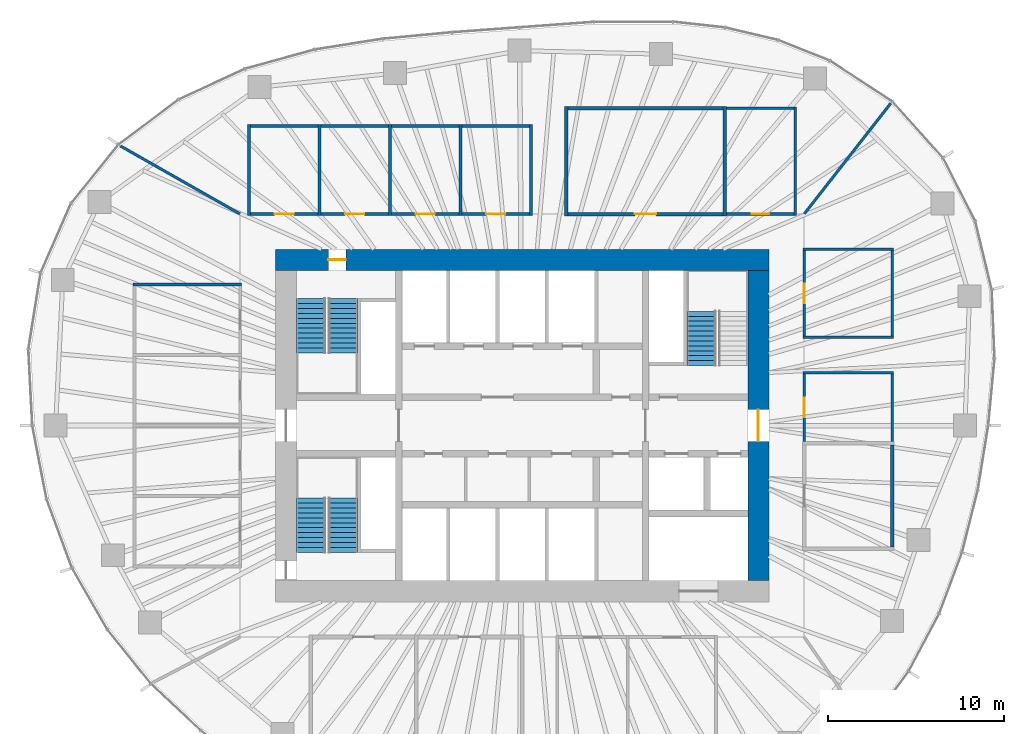
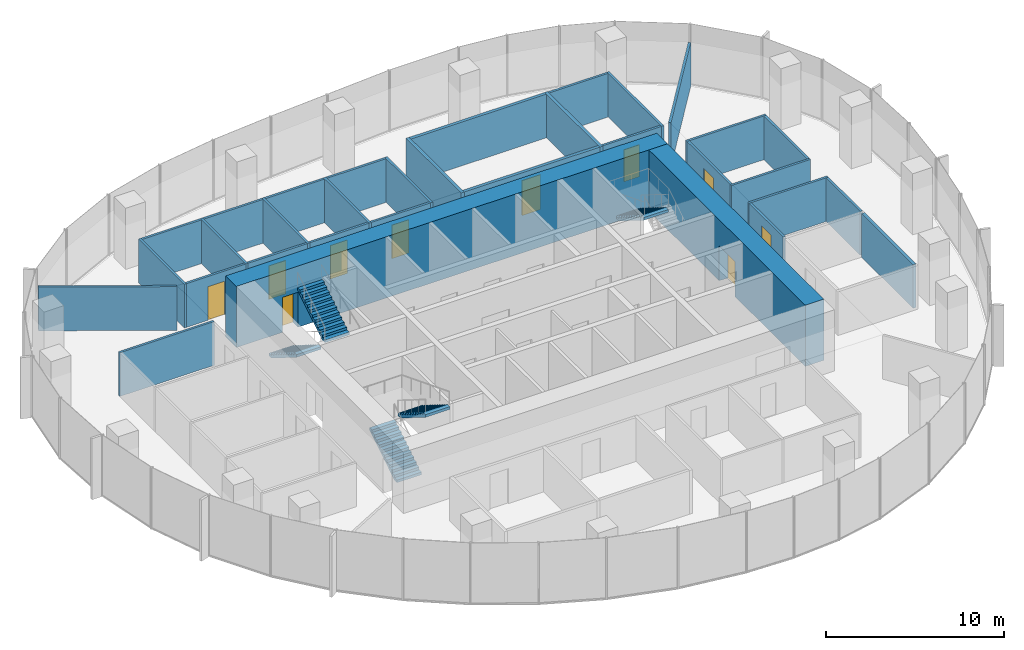
# One storey, part 10 of 12: 33 walls, 10 doors, 5 stair flights, 10 openings, 3 elements without a shape of their own.
"""IFC4 building model written with IfcOpenShell, lengths in metres."""

from ifc_helpers import new_model, si_unit, direction, frame, frame_2d, origin, place, context, subcontext, project, spatial, polyline, rectangle, outline, extrude, material, layer, layer_set, type_object, element, fill, aggregate, save


model = new_model("IFC4")

# Units and contexts
model_context = context("Model", 3, precision=1e-05, world=origin(), true_north=direction((0.0, 1.0)))
body_context = subcontext(model_context, "Body", "Model", "MODEL_VIEW")
ifc_project = project(units=[si_unit("LENGTHUNIT", "METRE"), si_unit("AREAUNIT", "SQUARE_METRE"), si_unit("VOLUMEUNIT", "CUBIC_METRE"), si_unit("PLANEANGLEUNIT", "RADIAN"), si_unit("MASSUNIT", "GRAM", prefix="KILO")], contexts=[model_context])

# Site, building, storey
site_placement = place(None, origin())
site = spatial("IfcSite", under=ifc_project, at=site_placement, CompositionType="ELEMENT")
building_placement = place(site_placement, origin())
building = spatial("IfcBuilding", under=site, at=building_placement, Name="Ghaith Harvest Tower", CompositionType="ELEMENT")
storey_placement = place(building_placement, frame((0.0, 0.0, 199.0)))
storey = spatial("IfcBuildingStorey", under=building, at=storey_placement, Name="L43", CompositionType="ELEMENT", Elevation=199.0)

# Walls
ifc_material_1 = material(Name="Twin-stud gypsum board, acoustic", Category="gypsum")
ifc_layer_1 = layer(ifc_material_1, 0.199951171875)
ifc_layer_set_1 = layer_set([ifc_layer_1], Name="ACOUSTIC PARTITION 200")
wall_type_1 = type_object("IfcWallType", Name="ACOUSTIC PARTITION 200", PredefinedType="PARTITIONING", material=ifc_layer_set_1)
for number, where, z_axis, x_axis, name in (
    (1, (2.5, 11.89990234375, 0.0), (0.0, 0.0, 1.0), (0.0, 1.0, 0.0), "Partition L43 row N2 cross wall 1"),
    (2, (11.5, 11.89990234375, 0.0), (0.0, 0.0, 1.0), (0.0, 1.0, 0.0), "Partition L43 row N2 cross wall 2"),
):
    element("IfcWall", number, at=place(storey_placement, frame(where, z_axis=z_axis, x_axis=x_axis)), inside=storey, type_object=wall_type_1, Name=name, PredefinedType="PARTITIONING", context=body_context, shape_type="SweptSolid", body=[
        extrude(rectangle(XDim=6.2001953125, YDim=0.199951171875, at=frame_2d((3.10009765625, 0.0))), origin(), (0.0, 0.0, 1.0), 3.0),
    ])

# Wall, opening, door
wall_1_placement = place(storey_placement, frame((2.60009765625, 12.0, 0.0), z_axis=(0.0, 0.0, 1.0), x_axis=(1.0, 0.0, 0.0)))
wall_1 = element("IfcWall", 3, at=wall_1_placement, inside=storey, type_object=wall_type_1, Name="Partition L43-05", PredefinedType="PARTITIONING", context=body_context, shape_type="SweptSolid", body=[
    extrude(rectangle(XDim=8.7998046875, YDim=0.199951171875, at=frame_2d((4.39990234375, 0.0))), origin(), (0.0, 0.0, 1.0), 3.0),
])
opening_1_placement = place(wall_1_placement, frame((3.800048828125, 0.0, 0.0)))
opening_1 = element("IfcOpeningElement", 4, at=opening_1_placement, cuts=wall_1, Name="Opening 43-025", PredefinedType="OPENING", context=body_context, shape_type="SweptSolid", body=[
    extrude(rectangle(XDim=1.199951171875, YDim=2.39990234375, at=frame_2d((0.60009765625, 1.199951171875))), frame((0.0, 0.10986328125, 0.0), z_axis=(0.0, -1.0, 0.0), x_axis=(1.0, 0.0, 0.0)), (0.0, 0.0, 1.0), 0.219970703125),
])
ifc_material_2 = material(Name="Timber door", Category="wood")
door_type_1 = type_object("IfcDoorType", Name="D11 GLAZED 1200x2400", OperationType="SINGLE_SWING_LEFT", PredefinedType="DOOR", material=ifc_material_2)
door_1_placement = place(opening_1_placement, origin())
door_1 = element("IfcDoor", 5, at=door_1_placement, inside=storey, type_object=door_type_1, Name="Boardroom door", OperationType="SINGLE_SWING_LEFT", OverallHeight=2.39990234375, OverallWidth=1.199951171875, PredefinedType="DOOR", context=body_context, shape_type="SweptSolid", body=[
    extrude(rectangle(XDim=1.199951171875, YDim=2.39990234375, at=frame_2d((0.60009765625, 1.199951171875))), frame((0.0, 0.02490234375, 0.0), z_axis=(0.0, -1.0, 0.0), x_axis=(1.0, 0.0, 0.0)), (0.0, 0.0, 1.0), 0.050048828125),
])
fill(opening_1, door_1)

# Walls
wall_2_placement = place(storey_placement, frame((2.60009765625, 18.0, 0.0), z_axis=(0.0, 0.0, 1.0), x_axis=(1.0, 0.0, 0.0)))
element("IfcWall", 6, at=wall_2_placement, inside=storey, type_object=wall_type_1, Name="Partition L43-05", PredefinedType="PARTITIONING", context=body_context, shape_type="SweptSolid", body=[
    extrude(rectangle(XDim=8.7998046875, YDim=0.199951171875, at=frame_2d((4.39990234375, 0.0))), origin(), (0.0, 0.0, 1.0), 3.0),
])
wall_3_placement = place(storey_placement, frame((21.0, -6.89990234375, 0.0), z_axis=(0.0, 0.0, 1.0), x_axis=(0.0, 1.0, 0.0)))
element("IfcWall", 7, at=wall_3_placement, inside=storey, type_object=wall_type_1, Name="Partition L43-11", PredefinedType="PARTITIONING", context=body_context, shape_type="SweptSolid", body=[
    extrude(rectangle(XDim=5.7998046875, YDim=0.199951171875, at=frame_2d((2.89990234375, 0.0))), origin(), (0.0, 0.0, 1.0), 3.0),
])

# Wall, opening, door
ifc_material_3 = material(Name="Concrete C60/75", Category="concrete")
ifc_layer_2 = layer(ifc_material_3, 1.199951171875)
ifc_layer_set_2 = layer_set([ifc_layer_2], Name="CORE WALL CW1200 C60")
wall_type_2 = type_object("IfcWallType", Name="CORE WALL CW1200 C60", PredefinedType="SHEAR", material=ifc_layer_set_2)
wall_4_placement = place(storey_placement, frame((14.0, 9.39990234375, 0.0), z_axis=(0.0, 0.0, 1.0), x_axis=(-1.0, 0.0, 0.0)))
wall_4 = element("IfcWall", 8, at=wall_4_placement, inside=storey, type_object=wall_type_2, Name="Core wall N L43", PredefinedType="SHEAR", context=body_context, shape_type="SweptSolid", body=[
    extrude(rectangle(XDim=28.0, YDim=1.199951171875, at=frame_2d((14.0, 0.0))), origin(), (0.0, 0.0, 1.0), 4.199951171875),
])
opening_2_placement = place(wall_4_placement, frame((24.0, 0.0, 0.0)))
opening_2 = element("IfcOpeningElement", 9, at=opening_2_placement, cuts=wall_4, Name="Opening 43-005", PredefinedType="OPENING", context=body_context, shape_type="SweptSolid", body=[
    extrude(rectangle(XDim=1.0, YDim=2.39990234375, at=frame_2d((0.5, 1.199951171875))), frame((0.0, 0.60986328125, 0.0), z_axis=(0.0, -1.0, 0.0), x_axis=(1.0, 0.0, 0.0)), (0.0, 0.0, 1.0), 1.219970703125),
])
ifc_material_4 = material(Name="Steel fire door", Category="steel")
door_type_2 = type_object("IfcDoorType", Name="D3 FD90 1000x2400", OperationType="SINGLE_SWING_LEFT", PredefinedType="DOOR", material=ifc_material_4)
door_2_placement = place(opening_2_placement, origin())
door_2 = element("IfcDoor", 10, at=door_2_placement, inside=storey, type_object=door_type_2, Name="Stair ST1 door", OperationType="SINGLE_SWING_RIGHT", OverallHeight=2.39990234375, OverallWidth=1.0, PredefinedType="DOOR", context=body_context, shape_type="SweptSolid", body=[
    extrude(rectangle(XDim=1.0, YDim=2.39990234375, at=frame_2d((0.5, 1.199951171875))), frame((0.0, 0.02490234375, 0.0), z_axis=(0.0, -1.0, 0.0), x_axis=(1.0, 0.0, 0.0)), (0.0, 0.0, 1.0), 0.050048828125),
])
fill(opening_2, door_2)

wall_5_placement = place(storey_placement, frame((13.39990234375, -8.800048828125, 0.0), z_axis=(0.0, 0.0, 1.0), x_axis=(0.0, 1.0, 0.0)))
wall_5 = element("IfcWall", 11, at=wall_5_placement, inside=storey, type_object=wall_type_2, Name="Core wall E L43", PredefinedType="SHEAR", context=body_context, shape_type="SweptSolid", body=[
    extrude(rectangle(XDim=17.60009765625, YDim=1.199951171875, at=frame_2d((8.800048828125, 0.0))), origin(), (0.0, 0.0, 1.0), 4.199951171875),
])
opening_3_placement = place(wall_5_placement, frame((7.89990234375, 0.0, 0.0)))
opening_3 = element("IfcOpeningElement", 12, at=opening_3_placement, cuts=wall_5, Name="Opening 43-002", PredefinedType="OPENING", context=body_context, shape_type="SweptSolid", body=[
    extrude(rectangle(XDim=1.800048828125, YDim=2.39990234375, at=frame_2d((0.89990234375, 1.199951171875))), frame((0.0, 0.60986328125, 0.0), z_axis=(0.0, -1.0, 0.0), x_axis=(1.0, 0.0, 0.0)), (0.0, 0.0, 1.0), 1.219970703125),
])
ifc_material_5 = material(Name="Steel fire door", Category="steel")
door_type_3 = type_object("IfcDoorType", Name="D4 FD90 PAIR 1800x2400", OperationType="DOUBLE_DOOR_SINGLE_SWING", PredefinedType="DOOR", material=ifc_material_5)
door_3_placement = place(opening_3_placement, origin())
door_3 = element("IfcDoor", 13, at=door_3_placement, inside=storey, type_object=door_type_3, Name="Fire-fighting lobby doors", OperationType="DOUBLE_DOOR_SINGLE_SWING", OverallHeight=2.39990234375, OverallWidth=1.800048828125, PredefinedType="DOOR", context=body_context, shape_type="SweptSolid", body=[
    extrude(rectangle(XDim=1.800048828125, YDim=2.39990234375, at=frame_2d((0.89990234375, 1.199951171875))), frame((0.0, 0.02490234375, 0.0), z_axis=(0.0, -1.0, 0.0), x_axis=(1.0, 0.0, 0.0)), (0.0, 0.0, 1.0), 0.050048828125),
])
fill(opening_3, door_3)

# Walls
ifc_material_6 = material(Name="Gypsum board on steel studs", Category="steel")
ifc_layer_3 = layer(ifc_material_6, 0.14990234375)
ifc_layer_set_3 = layer_set([ifc_layer_3], Name="PARTITION 150")
wall_type_3 = type_object("IfcWallType", Name="PARTITION 150", PredefinedType="PARTITIONING", material=ifc_layer_set_3)
for number, where, z_axis, x_axis, name in (
    (14, (-15.5, 11.925048828125, 0.0), (0.0, 0.0, 1.0), (0.0, 1.0, 0.0), "Partition L43 row N1 cross wall 1"),
    (15, (-11.5, 11.925048828125, 0.0), (0.0, 0.0, 1.0), (0.0, 1.0, 0.0), "Partition L43 row N1 cross wall 2"),
    (16, (-7.5, 11.925048828125, 0.0), (0.0, 0.0, 1.0), (0.0, 1.0, 0.0), "Partition L43 row N1 cross wall 3"),
    (17, (-3.5, 11.925048828125, 0.0), (0.0, 0.0, 1.0), (0.0, 1.0, 0.0), "Partition L43 row N1 cross wall 4"),
    (18, (0.5, 11.925048828125, 0.0), (0.0, 0.0, 1.0), (0.0, 1.0, 0.0), "Partition L43 row N1 cross wall 5"),
):
    element("IfcWall", number, at=place(storey_placement, frame(where, z_axis=z_axis, x_axis=x_axis)), inside=storey, type_object=wall_type_3, Name=name, PredefinedType="PARTITIONING", context=body_context, shape_type="SweptSolid", body=[
        extrude(rectangle(XDim=5.14990234375, YDim=0.14990234375, at=frame_2d((2.574951171875, 0.0))), origin(), (0.0, 0.0, 1.0), 3.0),
    ])

# Wall, opening, door
wall_6_placement = place(storey_placement, frame((-15.425048828125, 12.0, 0.0), z_axis=(0.0, 0.0, 1.0), x_axis=(1.0, 0.0, 0.0)))
wall_6 = element("IfcWall", 19, at=wall_6_placement, inside=storey, type_object=wall_type_3, Name="Partition L43-01", PredefinedType="PARTITIONING", context=body_context, shape_type="SweptSolid", body=[
    extrude(rectangle(XDim=3.85009765625, YDim=0.14990234375, at=frame_2d((1.925048828125, 0.0))), origin(), (0.0, 0.0, 1.0), 3.0),
])
opening_4_placement = place(wall_6_placement, frame((1.375, 0.0, 0.0)))
opening_4 = element("IfcOpeningElement", 20, at=opening_4_placement, cuts=wall_6, Name="Opening 43-021", PredefinedType="OPENING", context=body_context, shape_type="SweptSolid", body=[
    extrude(rectangle(XDim=1.10009765625, YDim=2.300048828125, at=frame_2d((0.550048828125, 1.14990234375))), frame((0.0, 0.0849609375, 0.0), z_axis=(0.0, -1.0, 0.0), x_axis=(1.0, 0.0, 0.0)), (0.0, 0.0, 1.0), 0.169921875),
])
ifc_material_7 = material(Name="Timber-framed glazed door", Category="wood")
door_type_4 = type_object("IfcDoorType", Name="D12 GLAZED OFFICE 1100x2300", OperationType="SINGLE_SWING_LEFT", PredefinedType="DOOR", material=ifc_material_7)
door_4_placement = place(opening_4_placement, origin())
door_4 = element("IfcDoor", 21, at=door_4_placement, inside=storey, type_object=door_type_4, Name="Office door", OperationType="SINGLE_SWING_LEFT", OverallHeight=2.300048828125, OverallWidth=1.10009765625, PredefinedType="DOOR", context=body_context, shape_type="SweptSolid", body=[
    extrude(rectangle(XDim=1.10009765625, YDim=2.300048828125, at=frame_2d((0.550048828125, 1.14990234375))), frame((0.0, 0.02490234375, 0.0), z_axis=(0.0, -1.0, 0.0), x_axis=(1.0, 0.0, 0.0)), (0.0, 0.0, 1.0), 0.050048828125),
])
fill(opening_4, door_4)

# Wall
wall_7_placement = place(storey_placement, frame((-15.425048828125, 17.0, 0.0), z_axis=(0.0, 0.0, 1.0), x_axis=(1.0, 0.0, 0.0)))
element("IfcWall", 22, at=wall_7_placement, inside=storey, type_object=wall_type_3, Name="Partition L43-01", PredefinedType="PARTITIONING", context=body_context, shape_type="SweptSolid", body=[
    extrude(rectangle(XDim=3.85009765625, YDim=0.14990234375, at=frame_2d((1.925048828125, 0.0))), origin(), (0.0, 0.0, 1.0), 3.0),
])

# Wall, opening, door
wall_8_placement = place(storey_placement, frame((-11.425048828125, 12.0, 0.0), z_axis=(0.0, 0.0, 1.0), x_axis=(1.0, 0.0, 0.0)))
wall_8 = element("IfcWall", 23, at=wall_8_placement, inside=storey, type_object=wall_type_3, Name="Partition L43-02", PredefinedType="PARTITIONING", context=body_context, shape_type="SweptSolid", body=[
    extrude(rectangle(XDim=3.85009765625, YDim=0.14990234375, at=frame_2d((1.925048828125, 0.0))), origin(), (0.0, 0.0, 1.0), 3.0),
])
opening_5_placement = place(wall_8_placement, frame((1.375, 0.0, 0.0)))
opening_5 = element("IfcOpeningElement", 24, at=opening_5_placement, cuts=wall_8, Name="Opening 43-022", PredefinedType="OPENING", context=body_context, shape_type="SweptSolid", body=[
    extrude(rectangle(XDim=1.10009765625, YDim=2.300048828125, at=frame_2d((0.550048828125, 1.14990234375))), frame((0.0, 0.0849609375, 0.0), z_axis=(0.0, -1.0, 0.0), x_axis=(1.0, 0.0, 0.0)), (0.0, 0.0, 1.0), 0.169921875),
])
door_5_placement = place(opening_5_placement, origin())
door_5 = element("IfcDoor", 25, at=door_5_placement, inside=storey, type_object=door_type_4, Name="Office door", OperationType="SINGLE_SWING_LEFT", OverallHeight=2.300048828125, OverallWidth=1.10009765625, PredefinedType="DOOR", context=body_context, shape_type="SweptSolid", body=[
    extrude(rectangle(XDim=1.10009765625, YDim=2.300048828125, at=frame_2d((0.550048828125, 1.14990234375))), frame((0.0, 0.02490234375, 0.0), z_axis=(0.0, -1.0, 0.0), x_axis=(1.0, 0.0, 0.0)), (0.0, 0.0, 1.0), 0.050048828125),
])
fill(opening_5, door_5)

# Wall
wall_9_placement = place(storey_placement, frame((-11.425048828125, 17.0, 0.0), z_axis=(0.0, 0.0, 1.0), x_axis=(1.0, 0.0, 0.0)))
element("IfcWall", 26, at=wall_9_placement, inside=storey, type_object=wall_type_3, Name="Partition L43-02", PredefinedType="PARTITIONING", context=body_context, shape_type="SweptSolid", body=[
    extrude(rectangle(XDim=3.85009765625, YDim=0.14990234375, at=frame_2d((1.925048828125, 0.0))), origin(), (0.0, 0.0, 1.0), 3.0),
])

# Wall, opening, door
wall_10_placement = place(storey_placement, frame((-7.425048828125, 12.0, 0.0), z_axis=(0.0, 0.0, 1.0), x_axis=(1.0, 0.0, 0.0)))
wall_10 = element("IfcWall", 27, at=wall_10_placement, inside=storey, type_object=wall_type_3, Name="Partition L43-03", PredefinedType="PARTITIONING", context=body_context, shape_type="SweptSolid", body=[
    extrude(rectangle(XDim=3.85009765625, YDim=0.14990234375, at=frame_2d((1.925048828125, 0.0))), origin(), (0.0, 0.0, 1.0), 3.0),
])
opening_6_placement = place(wall_10_placement, frame((1.375, 0.0, 0.0)))
opening_6 = element("IfcOpeningElement", 28, at=opening_6_placement, cuts=wall_10, Name="Opening 43-023", PredefinedType="OPENING", context=body_context, shape_type="SweptSolid", body=[
    extrude(rectangle(XDim=1.10009765625, YDim=2.300048828125, at=frame_2d((0.550048828125, 1.14990234375))), frame((0.0, 0.0849609375, 0.0), z_axis=(0.0, -1.0, 0.0), x_axis=(1.0, 0.0, 0.0)), (0.0, 0.0, 1.0), 0.169921875),
])
door_6_placement = place(opening_6_placement, origin())
door_6 = element("IfcDoor", 29, at=door_6_placement, inside=storey, type_object=door_type_4, Name="Office door", OperationType="SINGLE_SWING_LEFT", OverallHeight=2.300048828125, OverallWidth=1.10009765625, PredefinedType="DOOR", context=body_context, shape_type="SweptSolid", body=[
    extrude(rectangle(XDim=1.10009765625, YDim=2.300048828125, at=frame_2d((0.550048828125, 1.14990234375))), frame((0.0, 0.02490234375, 0.0), z_axis=(0.0, -1.0, 0.0), x_axis=(1.0, 0.0, 0.0)), (0.0, 0.0, 1.0), 0.050048828125),
])
fill(opening_6, door_6)

# Wall
wall_11_placement = place(storey_placement, frame((-7.425048828125, 17.0, 0.0), z_axis=(0.0, 0.0, 1.0), x_axis=(1.0, 0.0, 0.0)))
element("IfcWall", 30, at=wall_11_placement, inside=storey, type_object=wall_type_3, Name="Partition L43-03", PredefinedType="PARTITIONING", context=body_context, shape_type="SweptSolid", body=[
    extrude(rectangle(XDim=3.85009765625, YDim=0.14990234375, at=frame_2d((1.925048828125, 0.0))), origin(), (0.0, 0.0, 1.0), 3.0),
])

# Wall, opening, door
wall_12_placement = place(storey_placement, frame((-3.425048828125, 12.0, 0.0), z_axis=(0.0, 0.0, 1.0), x_axis=(1.0, 0.0, 0.0)))
wall_12 = element("IfcWall", 31, at=wall_12_placement, inside=storey, type_object=wall_type_3, Name="Partition L43-04", PredefinedType="PARTITIONING", context=body_context, shape_type="SweptSolid", body=[
    extrude(rectangle(XDim=3.85009765625, YDim=0.14990234375, at=frame_2d((1.925048828125, 0.0))), origin(), (0.0, 0.0, 1.0), 3.0),
])
opening_7_placement = place(wall_12_placement, frame((1.375, 0.0, 0.0)))
opening_7 = element("IfcOpeningElement", 32, at=opening_7_placement, cuts=wall_12, Name="Opening 43-024", PredefinedType="OPENING", context=body_context, shape_type="SweptSolid", body=[
    extrude(rectangle(XDim=1.10009765625, YDim=2.300048828125, at=frame_2d((0.550048828125, 1.14990234375))), frame((0.0, 0.0849609375, 0.0), z_axis=(0.0, -1.0, 0.0), x_axis=(1.0, 0.0, 0.0)), (0.0, 0.0, 1.0), 0.169921875),
])
door_7_placement = place(opening_7_placement, origin())
door_7 = element("IfcDoor", 33, at=door_7_placement, inside=storey, type_object=door_type_4, Name="Office door", OperationType="SINGLE_SWING_LEFT", OverallHeight=2.300048828125, OverallWidth=1.10009765625, PredefinedType="DOOR", context=body_context, shape_type="SweptSolid", body=[
    extrude(rectangle(XDim=1.10009765625, YDim=2.300048828125, at=frame_2d((0.550048828125, 1.14990234375))), frame((0.0, 0.02490234375, 0.0), z_axis=(0.0, -1.0, 0.0), x_axis=(1.0, 0.0, 0.0)), (0.0, 0.0, 1.0), 0.050048828125),
])
fill(opening_7, door_7)

# Walls
wall_13_placement = place(storey_placement, frame((-3.425048828125, 17.0, 0.0), z_axis=(0.0, 0.0, 1.0), x_axis=(1.0, 0.0, 0.0)))
element("IfcWall", 34, at=wall_13_placement, inside=storey, type_object=wall_type_3, Name="Partition L43-04", PredefinedType="PARTITIONING", context=body_context, shape_type="SweptSolid", body=[
    extrude(rectangle(XDim=3.85009765625, YDim=0.14990234375, at=frame_2d((1.925048828125, 0.0))), origin(), (0.0, 0.0, 1.0), 3.0),
])
wall_14_placement = place(storey_placement, frame((15.5, 11.925048828125, 0.0), z_axis=(0.0, 0.0, 1.0), x_axis=(0.0, 1.0, 0.0)))
element("IfcWall", 35, at=wall_14_placement, inside=storey, type_object=wall_type_3, Name="Partition L43 row N2 cross wall 3", PredefinedType="PARTITIONING", context=body_context, shape_type="SweptSolid", body=[
    extrude(rectangle(XDim=6.14990234375, YDim=0.14990234375, at=frame_2d((3.074951171875, 0.0))), origin(), (0.0, 0.0, 1.0), 3.0),
])

# Wall, opening, door
wall_15_placement = place(storey_placement, frame((11.60009765625, 12.0, 0.0), z_axis=(0.0, 0.0, 1.0), x_axis=(1.0, 0.0, 0.0)))
wall_15 = element("IfcWall", 36, at=wall_15_placement, inside=storey, type_object=wall_type_3, Name="Partition L43-06", PredefinedType="PARTITIONING", context=body_context, shape_type="SweptSolid", body=[
    extrude(rectangle(XDim=3.824951171875, YDim=0.14990234375, at=frame_2d((1.91259765625, 0.0))), origin(), (0.0, 0.0, 1.0), 3.0),
])
opening_8_placement = place(wall_15_placement, frame((1.41259765625, 0.0, 0.0)))
opening_8 = element("IfcOpeningElement", 37, at=opening_8_placement, cuts=wall_15, Name="Opening 43-026", PredefinedType="OPENING", context=body_context, shape_type="SweptSolid", body=[
    extrude(rectangle(XDim=1.0, YDim=2.199951171875, at=frame_2d((0.5, 1.10009765625))), frame((0.0, 0.0849609375, 0.0), z_axis=(0.0, -1.0, 0.0), x_axis=(1.0, 0.0, 0.0)), (0.0, 0.0, 1.0), 0.169921875),
])
ifc_material_8 = material(Name="Timber door", Category="wood")
door_type_5 = type_object("IfcDoorType", Name="D1 SINGLE 1000x2200", OperationType="SINGLE_SWING_LEFT", PredefinedType="DOOR", material=ifc_material_8)
door_8_placement = place(opening_8_placement, origin())
door_8 = element("IfcDoor", 38, at=door_8_placement, inside=storey, type_object=door_type_5, Name="Pantry door", OperationType="SINGLE_SWING_LEFT", OverallHeight=2.199951171875, OverallWidth=1.0, PredefinedType="DOOR", context=body_context, shape_type="SweptSolid", body=[
    extrude(rectangle(XDim=1.0, YDim=2.199951171875, at=frame_2d((0.5, 1.10009765625))), frame((0.0, 0.02490234375, 0.0), z_axis=(0.0, -1.0, 0.0), x_axis=(1.0, 0.0, 0.0)), (0.0, 0.0, 1.0), 0.050048828125),
])
fill(opening_8, door_8)

# Walls
wall_16_placement = place(storey_placement, frame((11.60009765625, 18.0, 0.0), z_axis=(0.0, 0.0, 1.0), x_axis=(1.0, 0.0, 0.0)))
element("IfcWall", 39, at=wall_16_placement, inside=storey, type_object=wall_type_3, Name="Partition L43-06", PredefinedType="PARTITIONING", context=body_context, shape_type="SweptSolid", body=[
    extrude(rectangle(XDim=3.824951171875, YDim=0.14990234375, at=frame_2d((1.91259765625, 0.0))), origin(), (0.0, 0.0, 1.0), 3.0),
])
wall_17_placement = place(storey_placement, frame((15.925048828125, 3.0, 0.0), z_axis=(0.0, 0.0, 1.0), x_axis=(1.0, 0.0, 0.0)))
element("IfcWall", 40, at=wall_17_placement, inside=storey, type_object=wall_type_3, Name="Partition L43 row E5 cross wall 3", PredefinedType="PARTITIONING", context=body_context, shape_type="SweptSolid", body=[
    extrude(rectangle(XDim=5.14990234375, YDim=0.14990234375, at=frame_2d((2.574951171875, 0.0))), origin(), (0.0, 0.0, 1.0), 3.0),
])

# Wall, opening, door
wall_18_placement = place(storey_placement, frame((16.0, -0.89990234375, 0.0), z_axis=(0.0, 0.0, 1.0), x_axis=(0.0, 1.0, 0.0)))
wall_18 = element("IfcWall", 41, at=wall_18_placement, inside=storey, type_object=wall_type_3, Name="Partition L43-12", PredefinedType="PARTITIONING", context=body_context, shape_type="SweptSolid", body=[
    extrude(rectangle(XDim=3.824951171875, YDim=0.14990234375, at=frame_2d((1.91259765625, 0.0))), origin(), (0.0, 0.0, 1.0), 3.0),
])
opening_9_placement = place(wall_18_placement, frame((1.362548828125, 0.0, 0.0)))
opening_9 = element("IfcOpeningElement", 42, at=opening_9_placement, cuts=wall_18, Name="Opening 43-032", PredefinedType="OPENING", context=body_context, shape_type="SweptSolid", body=[
    extrude(rectangle(XDim=1.10009765625, YDim=2.300048828125, at=frame_2d((0.550048828125, 1.14990234375))), frame((0.0, 0.0849609375, 0.0), z_axis=(0.0, -1.0, 0.0), x_axis=(1.0, 0.0, 0.0)), (0.0, 0.0, 1.0), 0.169921875),
])
door_9_placement = place(opening_9_placement, origin())
door_9 = element("IfcDoor", 43, at=door_9_placement, inside=storey, type_object=door_type_4, Name="Office door", OperationType="SINGLE_SWING_LEFT", OverallHeight=2.300048828125, OverallWidth=1.10009765625, PredefinedType="DOOR", context=body_context, shape_type="SweptSolid", body=[
    extrude(rectangle(XDim=1.10009765625, YDim=2.300048828125, at=frame_2d((0.550048828125, 1.14990234375))), frame((0.0, 0.02490234375, 0.0), z_axis=(0.0, -1.0, 0.0), x_axis=(1.0, 0.0, 0.0)), (0.0, 0.0, 1.0), 0.050048828125),
])
fill(opening_9, door_9)

# Walls
wall_19_placement = place(storey_placement, frame((21.0, -0.89990234375, 0.0), z_axis=(0.0, 0.0, 1.0), x_axis=(0.0, 1.0, 0.0)))
element("IfcWall", 44, at=wall_19_placement, inside=storey, type_object=wall_type_3, Name="Partition L43-12", PredefinedType="PARTITIONING", context=body_context, shape_type="SweptSolid", body=[
    extrude(rectangle(XDim=3.824951171875, YDim=0.14990234375, at=frame_2d((1.91259765625, 0.0))), origin(), (0.0, 0.0, 1.0), 3.0),
])
wall_20_placement = place(storey_placement, frame((-15.925048828125, 8.0, 0.0), z_axis=(0.0, 0.0, 1.0), x_axis=(-1.0, 0.0, 0.0)))
element("IfcWall", 45, at=wall_20_placement, inside=storey, type_object=wall_type_3, Name="Partition L43 row W6 cross wall 5", PredefinedType="PARTITIONING", context=body_context, shape_type="SweptSolid", body=[
    extrude(rectangle(XDim=6.14990234375, YDim=0.14990234375, at=frame_2d((3.074951171875, 0.0))), origin(), (0.0, 0.0, 1.0), 3.0),
])
for number, where, z_axis, x_axis, name in (
    (46, (15.925048828125, 5.0, 0.0), (0.0, 0.0, 1.0), (1.0, 0.0, 0.0), "Partition L43 row E7 cross wall 1"),
    (47, (15.925048828125, 10.0, 0.0), (0.0, 0.0, 1.0), (1.0, 0.0, 0.0), "Partition L43 row E7 cross wall 2"),
):
    element("IfcWall", number, at=place(storey_placement, frame(where, z_axis=z_axis, x_axis=x_axis)), inside=storey, type_object=wall_type_3, Name=name, PredefinedType="PARTITIONING", context=body_context, shape_type="SweptSolid", body=[
        extrude(rectangle(XDim=5.14990234375, YDim=0.14990234375, at=frame_2d((2.574951171875, 0.0))), origin(), (0.0, 0.0, 1.0), 3.0),
    ])

# Wall, opening, door
wall_21_placement = place(storey_placement, frame((16.0, 5.074951171875, 0.0), z_axis=(0.0, 0.0, 1.0), x_axis=(0.0, 1.0, 0.0)))
wall_21 = element("IfcWall", 48, at=wall_21_placement, inside=storey, type_object=wall_type_3, Name="Partition L43-17", PredefinedType="PARTITIONING", context=body_context, shape_type="SweptSolid", body=[
    extrude(rectangle(XDim=4.85009765625, YDim=0.14990234375, at=frame_2d((2.425048828125, 0.0))), origin(), (0.0, 0.0, 1.0), 3.0),
])
opening_10_placement = place(wall_21_placement, frame((1.875, 0.0, 0.0)))
opening_10 = element("IfcOpeningElement", 49, at=opening_10_placement, cuts=wall_21, Name="Opening 43-037", PredefinedType="OPENING", context=body_context, shape_type="SweptSolid", body=[
    extrude(rectangle(XDim=1.10009765625, YDim=2.300048828125, at=frame_2d((0.550048828125, 1.14990234375))), frame((0.0, 0.0849609375, 0.0), z_axis=(0.0, -1.0, 0.0), x_axis=(1.0, 0.0, 0.0)), (0.0, 0.0, 1.0), 0.169921875),
])
door_10_placement = place(opening_10_placement, origin())
door_10 = element("IfcDoor", 50, at=door_10_placement, inside=storey, type_object=door_type_4, Name="Office door", OperationType="SINGLE_SWING_LEFT", OverallHeight=2.300048828125, OverallWidth=1.10009765625, PredefinedType="DOOR", context=body_context, shape_type="SweptSolid", body=[
    extrude(rectangle(XDim=1.10009765625, YDim=2.300048828125, at=frame_2d((0.550048828125, 1.14990234375))), frame((0.0, 0.02490234375, 0.0), z_axis=(0.0, -1.0, 0.0), x_axis=(1.0, 0.0, 0.0)), (0.0, 0.0, 1.0), 0.050048828125),
])
fill(opening_10, door_10)

# Walls
wall_22_placement = place(storey_placement, frame((21.0, 5.074951171875, 0.0), z_axis=(0.0, 0.0, 1.0), x_axis=(0.0, 1.0, 0.0)))
element("IfcWall", 51, at=wall_22_placement, inside=storey, type_object=wall_type_3, Name="Partition L43-17", PredefinedType="PARTITIONING", context=body_context, shape_type="SweptSolid", body=[
    extrude(rectangle(XDim=4.85009765625, YDim=0.14990234375, at=frame_2d((2.425048828125, 0.0))), origin(), (0.0, 0.0, 1.0), 3.0),
])
wall_23_placement = place(storey_placement, frame((-16.017333984375, 12.010009765625, 0.0), z_axis=(0.0, 0.0, 1.0), x_axis=(-0.869357432803, 0.494183826151, 0.0)))
element("IfcWall", 52, at=wall_23_placement, inside=storey, type_object=wall_type_3, Name="Partition L43 zone division", PredefinedType="PARTITIONING", context=body_context, shape_type="SweptSolid", body=[
    extrude(rectangle(XDim=7.791259765625, YDim=0.14990234375, at=frame_2d((3.8955078125, 0.0))), origin(), (0.0, 0.0, 1.0), 3.0),
])
wall_24_placement = place(storey_placement, frame((16.01220703125, 12.015625, 0.0), z_axis=(0.0, 0.0, 1.0), x_axis=(0.616030058222, 0.787722646219, 0.0)))
element("IfcWall", 53, at=wall_24_placement, inside=storey, type_object=wall_type_3, Name="Partition L43 zone division", PredefinedType="PARTITIONING", context=body_context, shape_type="SweptSolid", body=[
    extrude(rectangle(XDim=7.95166015625, YDim=0.14990234375, at=frame_2d((3.975830078125, 0.0))), origin(), (0.0, 0.0, 1.0), 3.0),
])

# Stair, stair flights
ifc_material_9 = material(Name="Concrete C40/50, precast", Category="concrete")
stair_type = type_object("IfcStairType", Name="CORE STAIR 24R", PredefinedType="HALF_TURN_STAIR", material=ifc_material_9)
stair_1_placement = place(storey_placement, origin())
stair_1 = element("IfcStair", 54, at=stair_1_placement, inside=storey, type_object=stair_type, Name="Stair ST1 L43", PredefinedType="HALF_TURN_STAIR")
ifc_material_10 = material(Name="Concrete C40/50, precast", Category="concrete")
stair_flight_type = type_object("IfcStairFlightType", Name="CORE FLIGHT 12R 1600", PredefinedType="STRAIGHT", material=ifc_material_10)
stair_flight_1_placement = place(storey_placement, frame((-12.0, 7.199951171875, 0.0), z_axis=(0.0, 0.0, 1.0), x_axis=(0.0, -1.0, 0.0)))
stair_flight_1 = element("IfcStairFlight", 55, at=stair_flight_1_placement, type_object=stair_flight_type, Name="ST1 flight 1", NumberOfRisers=12, NumberOfTreads=11, PredefinedType="STRAIGHT", RiserHeight=0.175, TreadLength=0.28, context=body_context, shape_type="SweptSolid", body=[
    extrude(outline(polyline([(0.0, 0.0), (0.0, 0.175048828125), (0.280029296875, 0.175048828125), (0.280029296875, 0.35009765625), (0.56005859375, 0.35009765625), (0.56005859375, 0.52490234375), (0.840087890625, 0.52490234375), (0.840087890625, 0.699951171875), (1.1201171875, 0.699951171875), (1.1201171875, 0.875), (1.39990234375, 0.875), (1.39990234375, 1.050048828125), (1.679931640625, 1.050048828125), (1.679931640625, 1.22509765625), (1.9599609375, 1.22509765625), (1.9599609375, 1.39990234375), (2.239990234375, 1.39990234375), (2.239990234375, 1.574951171875), (2.52001953125, 1.574951171875), (2.52001953125, 1.75), (2.800048828125, 1.75), (2.800048828125, 1.925048828125), (3.080078125, 1.925048828125), (3.080078125, 2.10009765625), (3.080078125, 1.748291015625), (0.28271484375, 0.0), (0.0, 0.0)])), frame((0.0, 0.800048828125, 0.0), z_axis=(0.0, -1.0, 0.0), x_axis=(1.0, 0.0, 0.0)), (0.0, 0.0, 1.0), 1.60009765625),
])
stair_flight_2_placement = place(storey_placement, frame((-10.14990234375, 4.1201171875, 2.10009765625), z_axis=(0.0, 0.0, 1.0), x_axis=(0.0, 1.0, 0.0)))
stair_flight_2 = element("IfcStairFlight", 56, at=stair_flight_2_placement, type_object=stair_flight_type, Name="ST1 flight 2", NumberOfRisers=12, NumberOfTreads=11, PredefinedType="STRAIGHT", RiserHeight=0.175, TreadLength=0.28, context=body_context, shape_type="SweptSolid", body=[
    extrude(outline(polyline([(0.0, 0.0), (0.0, 0.175048828125), (0.280029296875, 0.175048828125), (0.280029296875, 0.35009765625), (0.56005859375, 0.35009765625), (0.56005859375, 0.52490234375), (0.840087890625, 0.52490234375), (0.840087890625, 0.699951171875), (1.1201171875, 0.699951171875), (1.1201171875, 0.875), (1.39990234375, 0.875), (1.39990234375, 1.050048828125), (1.679931640625, 1.050048828125), (1.679931640625, 1.22509765625), (1.9599609375, 1.22509765625), (1.9599609375, 1.39990234375), (2.239990234375, 1.39990234375), (2.239990234375, 1.574951171875), (2.52001953125, 1.574951171875), (2.52001953125, 1.75), (2.800048828125, 1.75), (2.800048828125, 1.925048828125), (3.080078125, 1.925048828125), (3.080078125, 2.10009765625), (3.080078125, 1.748291015625), (0.28271484375, 0.0), (0.0, 0.0)])), frame((0.0, 0.800048828125, 0.0), z_axis=(0.0, -1.0, 0.0), x_axis=(1.0, 0.0, 0.0)), (0.0, 0.0, 1.0), 1.60009765625),
])
aggregate(stair_1, [stair_flight_1, stair_flight_2])

stair_2_placement = place(storey_placement, origin())
stair_2 = element("IfcStair", 57, at=stair_2_placement, inside=storey, type_object=stair_type, Name="Stair ST3 L43", PredefinedType="HALF_TURN_STAIR")
stair_flight_3_placement = place(storey_placement, frame((-12.0, -7.199951171875, 0.0), z_axis=(0.0, 0.0, 1.0), x_axis=(0.0, 1.0, 0.0)))
stair_flight_3 = element("IfcStairFlight", 58, at=stair_flight_3_placement, type_object=stair_flight_type, Name="ST3 flight 1", NumberOfRisers=12, NumberOfTreads=11, PredefinedType="STRAIGHT", RiserHeight=0.175, TreadLength=0.28, context=body_context, shape_type="SweptSolid", body=[
    extrude(outline(polyline([(0.0, 0.0), (0.0, 0.175048828125), (0.280029296875, 0.175048828125), (0.280029296875, 0.35009765625), (0.56005859375, 0.35009765625), (0.56005859375, 0.52490234375), (0.840087890625, 0.52490234375), (0.840087890625, 0.699951171875), (1.1201171875, 0.699951171875), (1.1201171875, 0.875), (1.39990234375, 0.875), (1.39990234375, 1.050048828125), (1.679931640625, 1.050048828125), (1.679931640625, 1.22509765625), (1.9599609375, 1.22509765625), (1.9599609375, 1.39990234375), (2.239990234375, 1.39990234375), (2.239990234375, 1.574951171875), (2.52001953125, 1.574951171875), (2.52001953125, 1.75), (2.800048828125, 1.75), (2.800048828125, 1.925048828125), (3.080078125, 1.925048828125), (3.080078125, 2.10009765625), (3.080078125, 1.748291015625), (0.28271484375, 0.0), (0.0, 0.0)])), frame((0.0, 0.800048828125, 0.0), z_axis=(0.0, -1.0, 0.0), x_axis=(1.0, 0.0, 0.0)), (0.0, 0.0, 1.0), 1.60009765625),
])
stair_flight_4_placement = place(storey_placement, frame((-10.14990234375, -4.1201171875, 2.10009765625), z_axis=(0.0, 0.0, 1.0), x_axis=(0.0, -1.0, 0.0)))
stair_flight_4 = element("IfcStairFlight", 59, at=stair_flight_4_placement, type_object=stair_flight_type, Name="ST3 flight 2", NumberOfRisers=12, NumberOfTreads=11, PredefinedType="STRAIGHT", RiserHeight=0.175, TreadLength=0.28, context=body_context, shape_type="SweptSolid", body=[
    extrude(outline(polyline([(0.0, 0.0), (0.0, 0.175048828125), (0.280029296875, 0.175048828125), (0.280029296875, 0.35009765625), (0.56005859375, 0.35009765625), (0.56005859375, 0.52490234375), (0.840087890625, 0.52490234375), (0.840087890625, 0.699951171875), (1.1201171875, 0.699951171875), (1.1201171875, 0.875), (1.39990234375, 0.875), (1.39990234375, 1.050048828125), (1.679931640625, 1.050048828125), (1.679931640625, 1.22509765625), (1.9599609375, 1.22509765625), (1.9599609375, 1.39990234375), (2.239990234375, 1.39990234375), (2.239990234375, 1.574951171875), (2.52001953125, 1.574951171875), (2.52001953125, 1.75), (2.800048828125, 1.75), (2.800048828125, 1.925048828125), (3.080078125, 1.925048828125), (3.080078125, 2.10009765625), (3.080078125, 1.748291015625), (0.28271484375, 0.0), (0.0, 0.0)])), frame((0.0, 0.800048828125, 0.0), z_axis=(0.0, -1.0, 0.0), x_axis=(1.0, 0.0, 0.0)), (0.0, 0.0, 1.0), 1.60009765625),
])
aggregate(stair_2, [stair_flight_3, stair_flight_4])

# Stair, stair flight
stair_3_placement = place(storey_placement, origin())
stair_3 = element("IfcStair", 60, at=stair_3_placement, inside=storey, type_object=stair_type, Name="Stair ST2 L43", PredefinedType="HALF_TURN_STAIR")
stair_flight_5_placement = place(storey_placement, frame((10.14990234375, 6.47998046875, 2.10009765625), z_axis=(0.0, 0.0, 1.0), x_axis=(0.0, -1.0, 0.0)))
stair_flight_5 = element("IfcStairFlight", 61, at=stair_flight_5_placement, type_object=stair_flight_type, Name="ST2 flight 2", NumberOfRisers=12, NumberOfTreads=11, PredefinedType="STRAIGHT", RiserHeight=0.175, TreadLength=0.28, context=body_context, shape_type="SweptSolid", body=[
    extrude(outline(polyline([(0.0, 0.0), (0.0, 0.175048828125), (0.280029296875, 0.175048828125), (0.280029296875, 0.35009765625), (0.56005859375, 0.35009765625), (0.56005859375, 0.52490234375), (0.840087890625, 0.52490234375), (0.840087890625, 0.699951171875), (1.1201171875, 0.699951171875), (1.1201171875, 0.875), (1.39990234375, 0.875), (1.39990234375, 1.050048828125), (1.679931640625, 1.050048828125), (1.679931640625, 1.22509765625), (1.9599609375, 1.22509765625), (1.9599609375, 1.39990234375), (2.239990234375, 1.39990234375), (2.239990234375, 1.574951171875), (2.52001953125, 1.574951171875), (2.52001953125, 1.75), (2.800048828125, 1.75), (2.800048828125, 1.925048828125), (3.080078125, 1.925048828125), (3.080078125, 2.10009765625), (3.080078125, 1.748291015625), (0.28271484375, 0.0), (0.0, 0.0)])), frame((0.0, 0.800048828125, 0.0), z_axis=(0.0, -1.0, 0.0), x_axis=(1.0, 0.0, 0.0)), (0.0, 0.0, 1.0), 1.60009765625),
])
aggregate(stair_3, [stair_flight_5])

save(model, "model.ifc")
